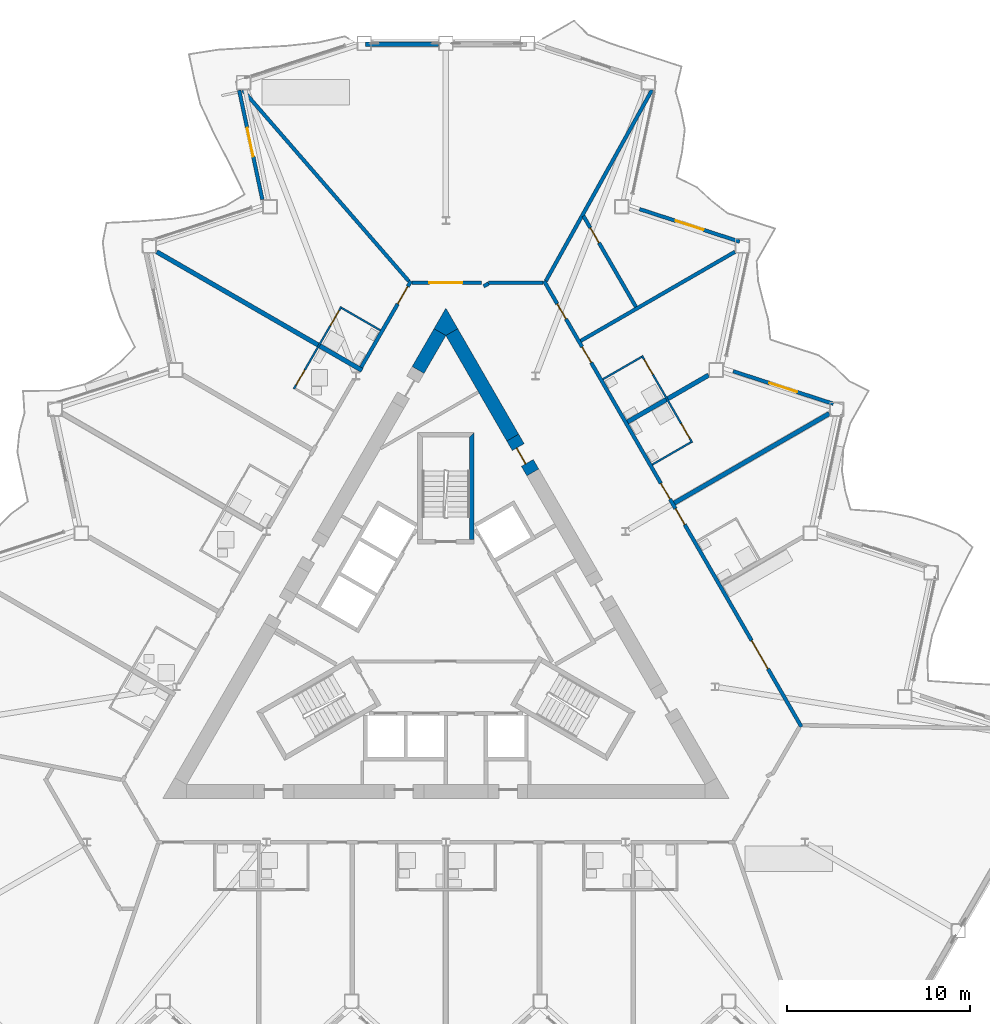
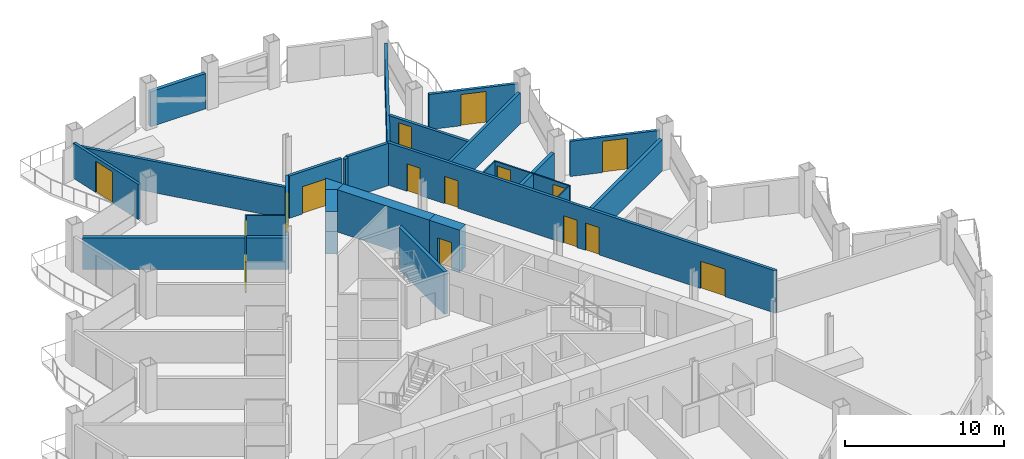
# One storey, part 14 of 23: 26 walls, 16 doors, 16 openings.
"""IFC4 building model written with IfcOpenShell, lengths in metres."""

from ifc_helpers import new_model, si_unit, direction, frame, frame_2d, origin, place, context, subcontext, project, spatial, polyline, rectangle, outline, extrude, material, layer, layer_set, type_object, element, fill, save


model = new_model("IFC4")

# Units and contexts
model_context = context("Model", 3, precision=1e-05, world=origin(), true_north=direction((0.0, 1.0)))
body_context = subcontext(model_context, "Body", "Model", "MODEL_VIEW")
ifc_project = project(units=[si_unit("LENGTHUNIT", "METRE"), si_unit("AREAUNIT", "SQUARE_METRE"), si_unit("VOLUMEUNIT", "CUBIC_METRE"), si_unit("PLANEANGLEUNIT", "RADIAN"), si_unit("MASSUNIT", "GRAM", prefix="KILO")], contexts=[model_context])

# Site, building, storey
site_placement = place(None, origin())
site = spatial("IfcSite", under=ifc_project, at=site_placement, CompositionType="ELEMENT")
building_placement = place(site_placement, origin())
building = spatial("IfcBuilding", under=site, at=building_placement, Name="Cormorant Prow Tower", CompositionType="ELEMENT")
storey_placement = place(building_placement, frame((0.0, 0.0, 180.0)))
storey = spatial("IfcBuildingStorey", under=building, at=storey_placement, Name="L38", CompositionType="ELEMENT", Elevation=180.0)

# Walls
ifc_material_1 = material(Name="Concrete 8000 psi", Category="concrete")
ifc_layer_1 = layer(ifc_material_1, 0.75)
ifc_layer_set_1 = layer_set([ifc_layer_1], Name="Concrete 8000 psi")
wall_type_1 = type_object("IfcWallType", Name="Core shear wall 750", PredefinedType="SHEAR", material=ifc_layer_set_1)
wall_1_placement = place(storey_placement, frame((3.661376953125, 10.806396484375, 0.0), z_axis=(0.0, 0.0, 1.0), x_axis=(-0.500014865866, 0.866016820803, 0.0)))
element("IfcWall", 1, at=wall_1_placement, inside=storey, type_object=wall_type_1, Name="Core wall", PredefinedType="SHEAR", context=body_context, shape_type="SweptSolid", body=[
    extrude(rectangle(XDim=6.673095703125, YDim=0.75, at=frame_2d((3.33642578125, 0.0))), origin(), (0.0, 0.0, 1.0), 3.25),
])
wall_2_placement = place(storey_placement, frame((-0.32470703125, 16.58544921875, 0.0), z_axis=(0.0, 0.0, 1.0), x_axis=(-0.500019473932, -0.866014160212, 0.0)))
element("IfcWall", 2, at=wall_2_placement, inside=storey, type_object=wall_type_1, Name="Core wall", PredefinedType="SHEAR", context=body_context, shape_type="SweptSolid", body=[
    extrude(rectangle(XDim=2.3955078125, YDim=0.75, at=frame_2d((1.19775390625, 0.0))), origin(), (0.0, 0.0, 1.0), 3.25),
])
wall_3_placement = place(storey_placement, origin())
element("IfcWall", 3, at=wall_3_placement, inside=storey, type_object=wall_type_1, Name="Core wall corner", PredefinedType="SHEAR", context=body_context, shape_type="SweptSolid", body=[
    extrude(outline(polyline([(-0.6494140625, 16.77294921875), (0.0, 17.89794921875), (0.6494140625, 16.77294921875), (0.0, 16.39794921875), (-0.6494140625, 16.77294921875)])), origin(), (0.0, 0.0, 1.0), 3.25),
])

# Wall, opening, door
wall_4_placement = place(storey_placement, frame((4.76123046875, 8.90087890625, 0.0), z_axis=(0.0, 0.0, 1.0), x_axis=(-0.499898558967, 0.866083962871, 0.0)))
wall_4 = element("IfcWall", 4, at=wall_4_placement, inside=storey, type_object=wall_type_1, Name="Core wall door panel", PredefinedType="SHEAR", context=body_context, shape_type="SweptSolid", body=[
    extrude(rectangle(XDim=2.2001953125, YDim=0.75, at=frame_2d((1.10009765625, 0.0))), origin(), (0.0, 0.0, 1.0), 3.25),
])
opening_1_placement = place(wall_4_placement, frame((0.60009765625, 0.0, 0.0)))
opening_1 = element("IfcOpeningElement", 5, at=opening_1_placement, cuts=wall_4, Name="Opening L38-C20", PredefinedType="OPENING", context=body_context, shape_type="SweptSolid", body=[
    extrude(rectangle(XDim=1.0, YDim=2.10009765625, at=frame_2d((0.5, 1.050048828125))), frame((0.0, 0.385009765625, 0.0), z_axis=(0.0, -1.0, 0.0), x_axis=(1.0, 0.0, 0.0)), (0.0, 0.0, 1.0), 0.77001953125),
])
ifc_material_2 = material(Name="Painted steel", Category="steel")
door_type_1 = type_object("IfcDoorType", Name="Service door 1000x2100", OperationType="NOTDEFINED", PredefinedType="DOOR", material=ifc_material_2)
door_1_placement = place(opening_1_placement, origin())
door_1 = element("IfcDoor", 6, at=door_1_placement, inside=storey, type_object=door_type_1, Name="Core door, Linen store", OperationType="SINGLE_SWING_LEFT", OverallHeight=2.10009765625, OverallWidth=1.0, PredefinedType="DOOR", context=body_context, shape_type="SweptSolid", body=[
    extrude(rectangle(XDim=1.0, YDim=2.10009765625, at=frame_2d((0.5, 1.050048828125))), frame((0.0, 0.1298828125, 0.0), z_axis=(0.0, -1.0, 0.0), x_axis=(1.0, 0.0, 0.0)), (0.0, 0.0, 1.0), 0.050048828125),
])
fill(opening_1, door_1)

# Wall, openings, doors
ifc_material_3 = material(Name="Gypsum board corridor wall")
ifc_layer_2 = layer(ifc_material_3, 0.199951171875)
ifc_layer_set_2 = layer_set([ifc_layer_2], Name="Gypsum board corridor wall")
wall_type_2 = type_object("IfcWallType", Name="Corridor wall 200", PredefinedType="PARTITIONING", material=ifc_layer_set_2)
wall_5_placement = place(storey_placement, frame((5.377197265625, 19.384521484375, 0.0), z_axis=(0.0, 0.0, 1.0), x_axis=(0.500000757641, -0.86602496636, 0.0)))
wall_5 = element("IfcWall", 7, at=wall_5_placement, inside=storey, type_object=wall_type_2, Name="Corridor wall", PredefinedType="PARTITIONING", context=body_context, shape_type="SweptSolid", body=[
    extrude(rectangle(XDim=28.19775390625, YDim=0.199951171875, at=frame_2d((14.098876953125, 0.0))), origin(), (0.0, 0.0, 1.0), 3.25),
])
opening_2_placement = place(wall_5_placement, frame((22.73486328125, 0.0, 0.0)))
opening_2 = element("IfcOpeningElement", 8, at=opening_2_placement, cuts=wall_5, Name="Opening L38-F14", PredefinedType="OPENING", context=body_context, shape_type="SweptSolid", body=[
    extrude(rectangle(XDim=1.800048828125, YDim=2.10009765625, at=frame_2d((0.89990234375, 1.050048828125))), frame((0.0, 0.10986328125, 0.0), z_axis=(0.0, -1.0, 0.0), x_axis=(1.0, 0.0, 0.0)), (0.0, 0.0, 1.0), 0.219970703125),
])
opening_3_placement = place(wall_5_placement, frame((14.40185546875, 0.0, 0.0)))
opening_3 = element("IfcOpeningElement", 9, at=opening_3_placement, cuts=wall_5, Name="Opening L38-F15", PredefinedType="OPENING", context=body_context, shape_type="SweptSolid", body=[
    extrude(rectangle(XDim=1.0, YDim=2.10009765625, at=frame_2d((0.5, 1.050048828125))), frame((0.0, 0.10986328125, 0.0), z_axis=(0.0, -1.0, 0.0), x_axis=(1.0, 0.0, 0.0)), (0.0, 0.0, 1.0), 0.219970703125),
])
opening_4_placement = place(wall_5_placement, frame((12.7958984375, 0.0, 0.0)))
opening_4 = element("IfcOpeningElement", 10, at=opening_4_placement, cuts=wall_5, Name="Opening L38-F17", PredefinedType="OPENING", context=body_context, shape_type="SweptSolid", body=[
    extrude(rectangle(XDim=1.0, YDim=2.10009765625, at=frame_2d((0.5, 1.050048828125))), frame((0.0, 0.10986328125, 0.0), z_axis=(0.0, -1.0, 0.0), x_axis=(1.0, 0.0, 0.0)), (0.0, 0.0, 1.0), 0.219970703125),
])
opening_5_placement = place(wall_5_placement, frame((4.164306640625, 0.0, 0.0)))
opening_5 = element("IfcOpeningElement", 11, at=opening_5_placement, cuts=wall_5, Name="Opening L38-F19", PredefinedType="OPENING", context=body_context, shape_type="SweptSolid", body=[
    extrude(rectangle(XDim=1.0, YDim=2.10009765625, at=frame_2d((0.5, 1.050048828125))), frame((0.0, 0.10986328125, 0.0), z_axis=(0.0, -1.0, 0.0), x_axis=(1.0, 0.0, 0.0)), (0.0, 0.0, 1.0), 0.219970703125),
])
opening_6_placement = place(wall_5_placement, frame((1.4521484375, 0.0, 0.0)))
opening_6 = element("IfcOpeningElement", 12, at=opening_6_placement, cuts=wall_5, Name="Opening L38-F21", PredefinedType="OPENING", context=body_context, shape_type="SweptSolid", body=[
    extrude(rectangle(XDim=0.949951171875, YDim=2.10009765625, at=frame_2d((0.47509765625, 1.050048828125))), frame((0.0, 0.10986328125, 0.0), z_axis=(0.0, -1.0, 0.0), x_axis=(1.0, 0.0, 0.0)), (0.0, 0.0, 1.0), 0.219970703125),
])
ifc_material_4 = material(Name="Timber door leaf", Category="wood")
door_type_2 = type_object("IfcDoorType", Name="Double door 1800x2100", OperationType="DOUBLE_DOOR_SINGLE_SWING", PredefinedType="DOOR", material=ifc_material_4)
door_2_placement = place(opening_2_placement, origin())
door_2 = element("IfcDoor", 13, at=door_2_placement, inside=storey, type_object=door_type_2, Name="Club lounge door", OperationType="DOUBLE_DOOR_SINGLE_SWING", OverallHeight=2.10009765625, OverallWidth=1.800048828125, PredefinedType="DOOR", context=body_context, shape_type="SweptSolid", body=[
    extrude(rectangle(XDim=1.800048828125, YDim=2.10009765625, at=frame_2d((0.89990234375, 1.050048828125))), frame((0.0, 0.02490234375, 0.0), z_axis=(0.0, -1.0, 0.0), x_axis=(1.0, 0.0, 0.0)), (0.0, 0.0, 1.0), 0.050048828125),
])
fill(opening_2, door_2)
ifc_material_5 = material(Name="Timber door leaf", Category="wood")
door_type_3 = type_object("IfcDoorType", Name="Flat or room entrance door 1000x2100", OperationType="NOTDEFINED", PredefinedType="DOOR", material=ifc_material_5)
door_3_placement = place(opening_3_placement, origin())
door_3 = element("IfcDoor", 14, at=door_3_placement, inside=storey, type_object=door_type_3, Name="Guest room door", OperationType="SINGLE_SWING_LEFT", OverallHeight=2.10009765625, OverallWidth=1.0, PredefinedType="DOOR", context=body_context, shape_type="SweptSolid", body=[
    extrude(rectangle(XDim=1.0, YDim=2.10009765625, at=frame_2d((0.5, 1.050048828125))), frame((0.0, 0.02490234375, 0.0), z_axis=(0.0, -1.0, 0.0), x_axis=(1.0, 0.0, 0.0)), (0.0, 0.0, 1.0), 0.050048828125),
])
fill(opening_3, door_3)
door_4_placement = place(opening_4_placement, origin())
door_4 = element("IfcDoor", 15, at=door_4_placement, inside=storey, type_object=door_type_3, Name="Guest room door", OperationType="SINGLE_SWING_RIGHT", OverallHeight=2.10009765625, OverallWidth=1.0, PredefinedType="DOOR", context=body_context, shape_type="SweptSolid", body=[
    extrude(rectangle(XDim=1.0, YDim=2.10009765625, at=frame_2d((0.5, 1.050048828125))), frame((0.0, 0.02490234375, 0.0), z_axis=(0.0, -1.0, 0.0), x_axis=(1.0, 0.0, 0.0)), (0.0, 0.0, 1.0), 0.050048828125),
])
fill(opening_4, door_4)
door_5_placement = place(opening_5_placement, origin())
door_5 = element("IfcDoor", 16, at=door_5_placement, inside=storey, type_object=door_type_3, Name="Guest room door", OperationType="SINGLE_SWING_LEFT", OverallHeight=2.10009765625, OverallWidth=1.0, PredefinedType="DOOR", context=body_context, shape_type="SweptSolid", body=[
    extrude(rectangle(XDim=1.0, YDim=2.10009765625, at=frame_2d((0.5, 1.050048828125))), frame((0.0, 0.02490234375, 0.0), z_axis=(0.0, -1.0, 0.0), x_axis=(1.0, 0.0, 0.0)), (0.0, 0.0, 1.0), 0.050048828125),
])
fill(opening_5, door_5)
ifc_material_6 = material(Name="Timber door leaf", Category="wood")
door_type_4 = type_object("IfcDoorType", Name="Store door 950x2100", OperationType="NOTDEFINED", PredefinedType="DOOR", material=ifc_material_6)
door_6_placement = place(opening_6_placement, origin())
door_6 = element("IfcDoor", 17, at=door_6_placement, inside=storey, type_object=door_type_4, Name="Housekeeping room door", OperationType="SINGLE_SWING_RIGHT", OverallHeight=2.10009765625, OverallWidth=0.949951171875, PredefinedType="DOOR", context=body_context, shape_type="SweptSolid", body=[
    extrude(rectangle(XDim=0.949951171875, YDim=2.10009765625, at=frame_2d((0.47509765625, 1.050048828125))), frame((0.0, 0.02490234375, 0.0), z_axis=(0.0, -1.0, 0.0), x_axis=(1.0, 0.0, 0.0)), (0.0, 0.0, 1.0), 0.050048828125),
])
fill(opening_6, door_6)

# Wall, opening, door
wall_6_placement = place(storey_placement, frame((-4.643798828125, 14.654541015625, 0.0), z_axis=(0.0, 0.0, 1.0), x_axis=(0.49998041698, 0.866036709751, 0.0)))
wall_6 = element("IfcWall", 18, at=wall_6_placement, inside=storey, type_object=wall_type_2, Name="Corridor wall", PredefinedType="PARTITIONING", context=body_context, shape_type="SweptSolid", body=[
    extrude(rectangle(XDim=5.461669921875, YDim=0.199951171875, at=frame_2d((2.73095703125, 0.0))), origin(), (0.0, 0.0, 1.0), 3.25),
])
opening_7_placement = place(wall_6_placement, frame((4.010009765625, 0.0, 0.0)))
opening_7 = element("IfcOpeningElement", 19, at=opening_7_placement, cuts=wall_6, Name="Opening L38-F24", PredefinedType="OPENING", context=body_context, shape_type="SweptSolid", body=[
    extrude(rectangle(XDim=1.10009765625, YDim=2.10009765625, at=frame_2d((0.550048828125, 1.050048828125))), frame((0.0, 0.10986328125, 0.0), z_axis=(0.0, -1.0, 0.0), x_axis=(1.0, 0.0, 0.0)), (0.0, 0.0, 1.0), 0.219970703125),
])
ifc_material_7 = material(Name="Timber door leaf", Category="wood")
door_type_5 = type_object("IfcDoorType", Name="Suite entrance door 1100x2100", OperationType="NOTDEFINED", PredefinedType="DOOR", material=ifc_material_7)
door_7_placement = place(opening_7_placement, origin())
door_7 = element("IfcDoor", 20, at=door_7_placement, inside=storey, type_object=door_type_5, Name="Junior suite door", OperationType="SINGLE_SWING_RIGHT", OverallHeight=2.10009765625, OverallWidth=1.10009765625, PredefinedType="DOOR", context=body_context, shape_type="SweptSolid", body=[
    extrude(rectangle(XDim=1.10009765625, YDim=2.10009765625, at=frame_2d((0.550048828125, 1.050048828125))), frame((0.0, 0.02490234375, 0.0), z_axis=(0.0, -1.0, 0.0), x_axis=(1.0, 0.0, 0.0)), (0.0, 0.0, 1.0), 0.050048828125),
])
fill(opening_7, door_7)

wall_7_placement = place(storey_placement, frame((-1.863037109375, 19.2978515625, 0.0), z_axis=(0.0, 0.0, 1.0), x_axis=(1.0, 0.0, 0.0)))
wall_7 = element("IfcWall", 21, at=wall_7_placement, inside=storey, type_object=wall_type_2, Name="Corridor wall", PredefinedType="PARTITIONING", context=body_context, shape_type="SweptSolid", body=[
    extrude(rectangle(XDim=3.825927734375, YDim=0.199951171875, at=frame_2d((1.9130859375, 0.0))), origin(), (0.0, 0.0, 1.0), 3.25),
])
opening_8_placement = place(wall_7_placement, frame((0.962158203125, 0.0, 0.0)))
opening_8 = element("IfcOpeningElement", 22, at=opening_8_placement, cuts=wall_7, Name="Opening L38-F23", PredefinedType="OPENING", context=body_context, shape_type="SweptSolid", body=[
    extrude(rectangle(XDim=1.800048828125, YDim=2.10009765625, at=frame_2d((0.89990234375, 1.050048828125))), frame((0.0, 0.10986328125, 0.0), z_axis=(0.0, -1.0, 0.0), x_axis=(1.0, 0.0, 0.0)), (0.0, 0.0, 1.0), 0.219970703125),
])
door_8_placement = place(opening_8_placement, origin())
door_8 = element("IfcDoor", 23, at=door_8_placement, inside=storey, type_object=door_type_2, Name="Co-working space door", OperationType="DOUBLE_DOOR_SINGLE_SWING", OverallHeight=2.10009765625, OverallWidth=1.800048828125, PredefinedType="DOOR", context=body_context, shape_type="SweptSolid", body=[
    extrude(rectangle(XDim=1.800048828125, YDim=2.10009765625, at=frame_2d((0.89990234375, 1.050048828125))), frame((0.0, 0.02490234375, 0.0), z_axis=(0.0, -1.0, 0.0), x_axis=(1.0, 0.0, 0.0)), (0.0, 0.0, 1.0), 0.050048828125),
])
fill(opening_8, door_8)

# Walls
wall_8_placement = place(storey_placement, frame((2.324951171875, 19.2978515625, 0.0), z_axis=(0.0, 0.0, 1.0), x_axis=(1.0, 0.0, 0.0)))
element("IfcWall", 24, at=wall_8_placement, inside=storey, type_object=wall_type_2, Name="Corridor wall", PredefinedType="PARTITIONING", context=body_context, shape_type="SweptSolid", body=[
    extrude(rectangle(XDim=3.002197265625, YDim=0.199951171875, at=frame_2d((1.5009765625, 0.0))), origin(), (0.0, 0.0, 1.0), 3.25),
])
wall_9_placement = place(storey_placement, frame((2.06982421875, 19.093017578125, 0.0), z_axis=(0.0, 0.0, 1.0), x_axis=(0.866395311824, 0.499358752451, 0.0)))
element("IfcWall", 25, at=wall_9_placement, inside=storey, type_object=wall_type_2, Name="Corridor wall", PredefinedType="PARTITIONING", context=body_context, shape_type="SweptSolid", body=[
    extrude(rectangle(XDim=0.31005859375, YDim=0.199951171875, at=frame_2d((0.155029296875, 0.0))), origin(), (0.0, 0.0, 1.0), 3.25),
])
ifc_material_8 = material(Name="Gypsum board demising wall")
ifc_layer_3 = layer(ifc_material_8, 0.199951171875)
ifc_layer_set_3 = layer_set([ifc_layer_3], Name="Gypsum board demising wall")
wall_type_3 = type_object("IfcWallType", Name="Demising wall 200", PredefinedType="PARTITIONING", material=ifc_layer_set_3)
wall_10_placement = place(storey_placement, frame((-11.122314453125, 29.841796875, 0.0), z_axis=(0.0, 0.0, 1.0), x_axis=(0.65579678992, -0.754937461205, 0.0)))
element("IfcWall", 26, at=wall_10_placement, inside=storey, type_object=wall_type_3, Name="Demising wall", PredefinedType="PARTITIONING", context=body_context, shape_type="SweptSolid", body=[
    extrude(rectangle(XDim=13.86669921875, YDim=0.199951171875, at=frame_2d((6.933349609375, 0.0))), origin(), (0.0, 0.0, 1.0), 2.404296875),
])
wall_11_placement = place(storey_placement, frame((5.4755859375, 19.38525390625, 0.0), z_axis=(0.0, 0.0, 1.0), x_axis=(0.485729569949, 0.874109137853, 0.0)))
element("IfcWall", 27, at=wall_11_placement, inside=storey, type_object=wall_type_3, Name="Demising wall", PredefinedType="PARTITIONING", context=body_context, shape_type="SweptSolid", body=[
    extrude(rectangle(XDim=11.96240234375, YDim=0.199951171875, at=frame_2d((5.981201171875, 0.0))), origin(), (0.0, 0.0, 1.0), 2.404296875),
])
wall_12_placement = place(storey_placement, frame((7.385986328125, 16.10498046875, 0.0), z_axis=(0.0, 0.0, 1.0), x_axis=(0.866023056814, 0.500004065051, 0.0)))
element("IfcWall", 28, at=wall_12_placement, inside=storey, type_object=wall_type_3, Name="Demising wall", PredefinedType="PARTITIONING", context=body_context, shape_type="SweptSolid", body=[
    extrude(rectangle(XDim=9.755859375, YDim=0.199951171875, at=frame_2d((4.8779296875, 0.0))), origin(), (0.0, 0.0, 1.0), 2.404296875),
])

# Wall, opening, door
wall_13_placement = place(storey_placement, frame((7.534423828125, 22.947998046875, 0.0), z_axis=(0.0, 0.0, 1.0), x_axis=(0.499991885958, -0.866030088378, 0.0)))
wall_13 = element("IfcWall", 29, at=wall_13_placement, inside=storey, type_object=wall_type_3, Name="Demising wall", PredefinedType="PARTITIONING", context=body_context, shape_type="SweptSolid", body=[
    extrude(rectangle(XDim=5.751953125, YDim=0.199951171875, at=frame_2d((2.8759765625, 0.0))), origin(), (0.0, 0.0, 1.0), 2.404296875),
])
opening_9_placement = place(wall_13_placement, frame((0.750244140625, 0.0, 0.0)))
opening_9 = element("IfcOpeningElement", 30, at=opening_9_placement, cuts=wall_13, Name="Opening L38-F22", PredefinedType="OPENING", context=body_context, shape_type="SweptSolid", body=[
    extrude(rectangle(XDim=0.949951171875, YDim=2.10009765625, at=frame_2d((0.47509765625, 1.050048828125))), frame((0.0, 0.10986328125, 0.0), z_axis=(0.0, -1.0, 0.0), x_axis=(1.0, 0.0, 0.0)), (0.0, 0.0, 1.0), 0.219970703125),
])
door_9_placement = place(opening_9_placement, origin())
door_9 = element("IfcDoor", 31, at=door_9_placement, inside=storey, type_object=door_type_4, Name="Linen store door", OperationType="SINGLE_SWING_LEFT", OverallHeight=2.10009765625, OverallWidth=0.949951171875, PredefinedType="DOOR", context=body_context, shape_type="SweptSolid", body=[
    extrude(rectangle(XDim=0.949951171875, YDim=2.10009765625, at=frame_2d((0.47509765625, 1.050048828125))), frame((0.0, 0.02490234375, 0.0), z_axis=(0.0, -1.0, 0.0), x_axis=(1.0, 0.0, 0.0)), (0.0, 0.0, 1.0), 0.050048828125),
])
fill(opening_9, door_9)

# Wall, openings, doors
ifc_material_9 = material(Name="Gypsum board partition")
ifc_layer_4 = layer(ifc_material_9, 0.10009765625)
ifc_layer_set_4 = layer_set([ifc_layer_4], Name="Gypsum board partition")
wall_type_4 = type_object("IfcWallType", Name="Internal partition 100", PredefinedType="PARTITIONING", material=ifc_layer_set_4)
wall_14_placement = place(storey_placement, frame((10.739501953125, 15.296142578125, 0.0), z_axis=(0.0, 0.0, 1.0), x_axis=(0.500015767406, -0.866016300277, 0.0)))
wall_14 = element("IfcWall", 32, at=wall_14_placement, inside=storey, type_object=wall_type_4, Name="Internal partition", PredefinedType="PARTITIONING", context=body_context, shape_type="SweptSolid", body=[
    extrude(rectangle(XDim=5.499755859375, YDim=0.10009765625, at=frame_2d((2.75, 0.0))), origin(), (0.0, 0.0, 1.0), 2.404296875),
])
opening_10_placement = place(wall_14_placement, frame((4.300048828125, 0.0, 0.0)))
opening_10 = element("IfcOpeningElement", 33, at=opening_10_placement, cuts=wall_14, Name="Opening L38-F18", PredefinedType="OPENING", context=body_context, shape_type="SweptSolid", body=[
    extrude(rectangle(XDim=0.949951171875, YDim=2.10009765625, at=frame_2d((0.47509765625, 1.050048828125))), frame((0.0, 0.06005859375, 0.0), z_axis=(0.0, -1.0, 0.0), x_axis=(1.0, 0.0, 0.0)), (0.0, 0.0, 1.0), 0.1201171875),
])
opening_11_placement = place(wall_14_placement, frame((0.25, 0.0, 0.0)))
opening_11 = element("IfcOpeningElement", 34, at=opening_11_placement, cuts=wall_14, Name="Opening L38-F20", PredefinedType="OPENING", context=body_context, shape_type="SweptSolid", body=[
    extrude(rectangle(XDim=0.949951171875, YDim=2.10009765625, at=frame_2d((0.47509765625, 1.050048828125))), frame((0.0, 0.06005859375, 0.0), z_axis=(0.0, -1.0, 0.0), x_axis=(1.0, 0.0, 0.0)), (0.0, 0.0, 1.0), 0.1201171875),
])
ifc_material_10 = material(Name="Timber door leaf", Category="wood")
door_type_6 = type_object("IfcDoorType", Name="Bathroom door 950x2100", OperationType="NOTDEFINED", PredefinedType="DOOR", material=ifc_material_10)
door_10_placement = place(opening_10_placement, origin())
door_10 = element("IfcDoor", 35, at=door_10_placement, inside=storey, type_object=door_type_6, Name="Guest room door", OperationType="SINGLE_SWING_RIGHT", OverallHeight=2.10009765625, OverallWidth=0.949951171875, PredefinedType="DOOR", context=body_context, shape_type="SweptSolid", body=[
    extrude(rectangle(XDim=0.949951171875, YDim=2.10009765625, at=frame_2d((0.47509765625, 1.050048828125))), frame((0.0, 0.02490234375, 0.0), z_axis=(0.0, -1.0, 0.0), x_axis=(1.0, 0.0, 0.0)), (0.0, 0.0, 1.0), 0.050048828125),
])
fill(opening_10, door_10)
door_11_placement = place(opening_11_placement, origin())
door_11 = element("IfcDoor", 36, at=door_11_placement, inside=storey, type_object=door_type_6, Name="Guest room door", OperationType="SINGLE_SWING_LEFT", OverallHeight=2.10009765625, OverallWidth=0.949951171875, PredefinedType="DOOR", context=body_context, shape_type="SweptSolid", body=[
    extrude(rectangle(XDim=0.949951171875, YDim=2.10009765625, at=frame_2d((0.47509765625, 1.050048828125))), frame((0.0, 0.02490234375, 0.0), z_axis=(0.0, -1.0, 0.0), x_axis=(1.0, 0.0, 0.0)), (0.0, 0.0, 1.0), 0.050048828125),
])
fill(opening_11, door_11)

wall_15_placement = place(storey_placement, frame((-8.327880859375, 13.473388671875, 0.0), z_axis=(0.0, 0.0, 1.0), x_axis=(0.499992051641, 0.866029992723, 0.0)))
wall_15 = element("IfcWall", 37, at=wall_15_placement, inside=storey, type_object=wall_type_4, Name="Internal partition", PredefinedType="PARTITIONING", context=body_context, shape_type="SweptSolid", body=[
    extrude(rectangle(XDim=5.19970703125, YDim=0.10009765625, at=frame_2d((2.599853515625, 0.0))), origin(), (0.0, 0.0, 1.0), 2.404296875),
])
opening_12_placement = place(wall_15_placement, frame((4.0, 0.0, 0.0)))
opening_12 = element("IfcOpeningElement", 38, at=opening_12_placement, cuts=wall_15, Name="Opening L38-F25", PredefinedType="OPENING", context=body_context, shape_type="SweptSolid", body=[
    extrude(rectangle(XDim=0.949951171875, YDim=2.10009765625, at=frame_2d((0.47509765625, 1.050048828125))), frame((0.0, 0.06005859375, 0.0), z_axis=(0.0, -1.0, 0.0), x_axis=(1.0, 0.0, 0.0)), (0.0, 0.0, 1.0), 0.1201171875),
])
opening_13_placement = place(wall_15_placement, frame((0.25, 0.0, 0.0)))
opening_13 = element("IfcOpeningElement", 39, at=opening_13_placement, cuts=wall_15, Name="Opening L38-F27", PredefinedType="OPENING", context=body_context, shape_type="SweptSolid", body=[
    extrude(rectangle(XDim=0.949951171875, YDim=2.10009765625, at=frame_2d((0.47509765625, 1.050048828125))), frame((0.0, 0.06005859375, 0.0), z_axis=(0.0, -1.0, 0.0), x_axis=(1.0, 0.0, 0.0)), (0.0, 0.0, 1.0), 0.1201171875),
])
door_12_placement = place(opening_12_placement, origin())
door_12 = element("IfcDoor", 40, at=door_12_placement, inside=storey, type_object=door_type_6, Name="Junior suite door", OperationType="SINGLE_SWING_RIGHT", OverallHeight=2.10009765625, OverallWidth=0.949951171875, PredefinedType="DOOR", context=body_context, shape_type="SweptSolid", body=[
    extrude(rectangle(XDim=0.949951171875, YDim=2.10009765625, at=frame_2d((0.47509765625, 1.050048828125))), frame((0.0, 0.02490234375, 0.0), z_axis=(0.0, -1.0, 0.0), x_axis=(1.0, 0.0, 0.0)), (0.0, 0.0, 1.0), 0.050048828125),
])
fill(opening_12, door_12)
door_13_placement = place(opening_13_placement, origin())
door_13 = element("IfcDoor", 41, at=door_13_placement, inside=storey, type_object=door_type_6, Name="Guest room door", OperationType="SINGLE_SWING_LEFT", OverallHeight=2.10009765625, OverallWidth=0.949951171875, PredefinedType="DOOR", context=body_context, shape_type="SweptSolid", body=[
    extrude(rectangle(XDim=0.949951171875, YDim=2.10009765625, at=frame_2d((0.47509765625, 1.050048828125))), frame((0.0, 0.02490234375, 0.0), z_axis=(0.0, -1.0, 0.0), x_axis=(1.0, 0.0, 0.0)), (0.0, 0.0, 1.0), 0.050048828125),
])
fill(opening_13, door_13)

# Walls
wall_16_placement = place(storey_placement, frame((-5.709716796875, 17.908203125, 0.0), z_axis=(0.0, 0.0, 1.0), x_axis=(0.866057815567, -0.499943856944, 0.0)))
element("IfcWall", 42, at=wall_16_placement, inside=storey, type_object=wall_type_4, Name="Internal partition", PredefinedType="PARTITIONING", context=body_context, shape_type="SweptSolid", body=[
    extrude(rectangle(XDim=2.449951171875, YDim=0.10009765625, at=frame_2d((1.22509765625, 0.0))), origin(), (0.0, 0.0, 1.0), 2.404296875),
])
wall_17_placement = place(storey_placement, frame((11.299560546875, 9.326416015625, 0.0), z_axis=(0.0, 0.0, 1.0), x_axis=(0.866014668023, 0.500018594424, 0.0)))
element("IfcWall", 43, at=wall_17_placement, inside=storey, type_object=wall_type_4, Name="Internal partition", PredefinedType="PARTITIONING", context=body_context, shape_type="SweptSolid", body=[
    extrude(rectangle(XDim=2.4501953125, YDim=0.10009765625, at=frame_2d((1.22509765625, 0.0))), origin(), (0.0, 0.0, 1.0), 2.404296875),
])
wall_18_placement = place(storey_placement, frame((8.599609375, 14.0029296875, 0.0), z_axis=(0.0, 0.0, 1.0), x_axis=(0.866032905446, 0.499987006516, 0.0)))
element("IfcWall", 44, at=wall_18_placement, inside=storey, type_object=wall_type_4, Name="Internal partition", PredefinedType="PARTITIONING", context=body_context, shape_type="SweptSolid", body=[
    extrude(rectangle(XDim=2.44970703125, YDim=0.10009765625, at=frame_2d((1.224853515625, 0.0))), origin(), (0.0, 0.0, 1.0), 2.404296875),
])
ifc_material_11 = material(Name="Concrete 8000 psi", Category="concrete")
ifc_layer_5 = layer(ifc_material_11, 0.25)
ifc_layer_set_5 = layer_set([ifc_layer_5], Name="Concrete 8000 psi")
wall_type_5 = type_object("IfcWallType", Name="Stair wall 250", PredefinedType="SHEAR", material=ifc_layer_set_5)
wall_19_placement = place(storey_placement, origin())
element("IfcWall", 45, at=wall_19_placement, inside=storey, type_object=wall_type_5, Name="Stair ST3 enclosure wall (flank)", PredefinedType="SHEAR", context=body_context, shape_type="SweptSolid", body=[
    extrude(outline(polyline([(1.5439453125, 5.23681640625), (1.5439453125, 11.0869140625), (1.2939453125, 10.8369140625), (1.2939453125, 5.23681640625), (1.5439453125, 5.23681640625)])), origin(), (0.0, 0.0, 1.0), 3.25),
])
ifc_material_12 = material(Name="Acoustic gypsum party wall")
ifc_layer_6 = layer(ifc_material_12, 0.25)
ifc_layer_set_6 = layer_set([ifc_layer_6], Name="Acoustic gypsum party wall")
wall_type_6 = type_object("IfcWallType", Name="Suite party wall 250", PredefinedType="PARTITIONING", material=ifc_layer_set_6)
wall_20_placement = place(storey_placement, frame((-15.834716796875, 20.98291015625, 0.0), z_axis=(0.0, 0.0, 1.0), x_axis=(0.866022720283, -0.500004647933, 0.0)))
element("IfcWall", 46, at=wall_20_placement, inside=storey, type_object=wall_type_6, Name="Suite party wall", PredefinedType="PARTITIONING", context=body_context, shape_type="SweptSolid", body=[
    extrude(rectangle(XDim=12.98095703125, YDim=0.25, at=frame_2d((6.490478515625, 0.0))), origin(), (0.0, 0.0, 1.0), 2.404296875),
])
wall_21_placement = place(storey_placement, frame((12.51318359375, 7.224609375, 0.0), z_axis=(0.0, 0.0, 1.0), x_axis=(0.866032905446, 0.499987006516, 0.0)))
element("IfcWall", 47, at=wall_21_placement, inside=storey, type_object=wall_type_6, Name="Suite party wall", PredefinedType="PARTITIONING", context=body_context, shape_type="SweptSolid", body=[
    extrude(rectangle(XDim=9.799072265625, YDim=0.25, at=frame_2d((4.8994140625, 0.0))), origin(), (0.0, 0.0, 1.0), 2.404296875),
])
wall_22_placement = place(storey_placement, frame((9.94970703125, 11.664794921875, 0.0), z_axis=(0.0, 0.0, 1.0), x_axis=(0.86603095744, 0.499990380663, 0.0)))
element("IfcWall", 48, at=wall_22_placement, inside=storey, type_object=wall_type_6, Name="Suite party wall", PredefinedType="PARTITIONING", context=body_context, shape_type="SweptSolid", body=[
    extrude(rectangle(XDim=5.126953125, YDim=0.25, at=frame_2d((2.5634765625, 0.0))), origin(), (0.0, 0.0, 1.0), 2.404296875),
])
ifc_material_13 = material(Name="Terracotta", Category="masonry")
ifc_layer_7 = layer(ifc_material_13, 0.25)
ifc_layer_set_7 = layer_set([ifc_layer_7], Name="Terracotta")
wall_type_7 = type_object("IfcWallType", Name="Terracotta bay wall 250", PredefinedType="SOLIDWALL", material=ifc_layer_set_7)
wall_23_placement = place(storey_placement, frame((-0.39990234375, 32.346923828125, 0.0), z_axis=(0.0, 0.0, 1.0), x_axis=(-1.0, 0.0, 0.0)))
element("IfcWall", 49, at=wall_23_placement, inside=storey, type_object=wall_type_7, Name="Terracotta bay wall N01", PredefinedType="SOLIDWALL", context=body_context, shape_type="SweptSolid", body=[
    extrude(rectangle(XDim=4.00390625, YDim=0.25, at=frame_2d((2.001953125, 0.0))), origin(), (0.0, 0.0, 1.0), 2.700927734375),
])

# Wall, opening, door
ifc_material_14 = material(Name="Terracotta", Category="masonry")
ifc_layer_8 = layer(ifc_material_14, 0.199951171875)
ifc_layer_set_8 = layer_set([ifc_layer_8], Name="Terracotta")
wall_type_8 = type_object("IfcWallType", Name="Terracotta jamb wall 200", PredefinedType="SOLIDWALL", material=ifc_layer_set_8)
wall_24_placement = place(storey_placement, frame((21.216552734375, 12.659423828125, 0.0), z_axis=(0.0, 0.0, 1.0), x_axis=(-0.951053678976, 0.30902572661, 0.0)))
wall_24 = element("IfcWall", 50, at=wall_24_placement, inside=storey, type_object=wall_type_8, Name="Terracotta jamb wall ENE05", PredefinedType="SOLIDWALL", context=body_context, shape_type="SweptSolid", body=[
    extrude(rectangle(XDim=5.76318359375, YDim=0.199951171875, at=frame_2d((2.881591796875, 0.0))), origin(), (0.0, 0.0, 1.0), 2.700927734375),
])
opening_14_placement = place(wall_24_placement, frame((2.08154296875, 0.0, 0.0)))
opening_14 = element("IfcOpeningElement", 51, at=opening_14_placement, cuts=wall_24, Name="Opening ED38.08", PredefinedType="OPENING", context=body_context, shape_type="SweptSolid", body=[
    extrude(rectangle(XDim=1.60009765625, YDim=2.39990234375, at=frame_2d((0.800048828125, 1.199951171875))), frame((0.0, 0.10986328125, 0.0), z_axis=(0.0, -1.0, 0.0), x_axis=(1.0, 0.0, 0.0)), (0.0, 0.0, 1.0), 0.219970703125),
])
ifc_material_15 = material(Name="Aluminium 6063-T6", Category="aluminium")
door_type_7 = type_object("IfcDoorType", Name="Balcony door 1600x2400", OperationType="DOUBLE_DOOR_SINGLE_SWING", PredefinedType="DOOR", material=ifc_material_15)
door_14_placement = place(opening_14_placement, origin())
door_14 = element("IfcDoor", 52, at=door_14_placement, inside=storey, type_object=door_type_7, Name="Balcony door ENE05 ED38.08", OperationType="DOUBLE_DOOR_SINGLE_SWING", OverallHeight=2.39990234375, OverallWidth=1.60009765625, PredefinedType="DOOR", context=body_context, shape_type="SweptSolid", body=[
    extrude(rectangle(XDim=1.60009765625, YDim=2.39990234375, at=frame_2d((0.800048828125, 1.199951171875))), frame((0.0, 0.02490234375, 0.0), z_axis=(0.0, -1.0, 0.0), x_axis=(1.0, 0.0, 0.0)), (0.0, 0.0, 1.0), 0.050048828125),
])
fill(opening_14, door_14)

wall_25_placement = place(storey_placement, frame((16.08935546875, 21.539794921875, 0.0), z_axis=(0.0, 0.0, 1.0), x_axis=(-0.951053678976, 0.30902572661, 0.0)))
wall_25 = element("IfcWall", 53, at=wall_25_placement, inside=storey, type_object=wall_type_8, Name="Terracotta jamb wall ENE07", PredefinedType="SOLIDWALL", context=body_context, shape_type="SweptSolid", body=[
    extrude(rectangle(XDim=5.76318359375, YDim=0.199951171875, at=frame_2d((2.881591796875, 0.0))), origin(), (0.0, 0.0, 1.0), 2.700927734375),
])
opening_15_placement = place(wall_25_placement, frame((2.08154296875, 0.0, 0.0)))
opening_15 = element("IfcOpeningElement", 54, at=opening_15_placement, cuts=wall_25, Name="Opening ED38.09", PredefinedType="OPENING", context=body_context, shape_type="SweptSolid", body=[
    extrude(rectangle(XDim=1.60009765625, YDim=2.39990234375, at=frame_2d((0.800048828125, 1.199951171875))), frame((0.0, 0.10986328125, 0.0), z_axis=(0.0, -1.0, 0.0), x_axis=(1.0, 0.0, 0.0)), (0.0, 0.0, 1.0), 0.219970703125),
])
door_15_placement = place(opening_15_placement, origin())
door_15 = element("IfcDoor", 55, at=door_15_placement, inside=storey, type_object=door_type_7, Name="Balcony door ENE07 ED38.09", OperationType="DOUBLE_DOOR_SINGLE_SWING", OverallHeight=2.39990234375, OverallWidth=1.60009765625, PredefinedType="DOOR", context=body_context, shape_type="SweptSolid", body=[
    extrude(rectangle(XDim=1.60009765625, YDim=2.39990234375, at=frame_2d((0.800048828125, 1.199951171875))), frame((0.0, 0.02490234375, 0.0), z_axis=(0.0, -1.0, 0.0), x_axis=(1.0, 0.0, 0.0)), (0.0, 0.0, 1.0), 0.050048828125),
])
fill(opening_15, door_15)

wall_26_placement = place(storey_placement, frame((-11.323974609375, 29.835205078125, 0.0), z_axis=(0.0, 0.0, 1.0), x_axis=(0.207925037413, -0.978144763732, 0.0)))
wall_26 = element("IfcWall", 56, at=wall_26_placement, inside=storey, type_object=wall_type_8, Name="Terracotta jamb wall WNW01", PredefinedType="SOLIDWALL", context=body_context, shape_type="SweptSolid", body=[
    extrude(rectangle(XDim=6.123291015625, YDim=0.199951171875, at=frame_2d((3.0615234375, 0.0))), origin(), (0.0, 0.0, 1.0), 2.700927734375),
])
opening_16_placement = place(wall_26_placement, frame((2.112548828125, 0.0, 0.0)))
opening_16 = element("IfcOpeningElement", 57, at=opening_16_placement, cuts=wall_26, Name="Opening ED38.11", PredefinedType="OPENING", context=body_context, shape_type="SweptSolid", body=[
    extrude(rectangle(XDim=1.60009765625, YDim=2.39990234375, at=frame_2d((0.800048828125, 1.199951171875))), frame((0.0, 0.10986328125, 0.0), z_axis=(0.0, -1.0, 0.0), x_axis=(1.0, 0.0, 0.0)), (0.0, 0.0, 1.0), 0.219970703125),
])
door_16_placement = place(opening_16_placement, origin())
door_16 = element("IfcDoor", 58, at=door_16_placement, inside=storey, type_object=door_type_7, Name="Balcony door WNW01 ED38.11", OperationType="DOUBLE_DOOR_SINGLE_SWING", OverallHeight=2.39990234375, OverallWidth=1.60009765625, PredefinedType="DOOR", context=body_context, shape_type="SweptSolid", body=[
    extrude(rectangle(XDim=1.60009765625, YDim=2.39990234375, at=frame_2d((0.800048828125, 1.199951171875))), frame((0.0, 0.02490234375, 0.0), z_axis=(0.0, -1.0, 0.0), x_axis=(1.0, 0.0, 0.0)), (0.0, 0.0, 1.0), 0.050048828125),
])
fill(opening_16, door_16)

save(model, "model.ifc")
